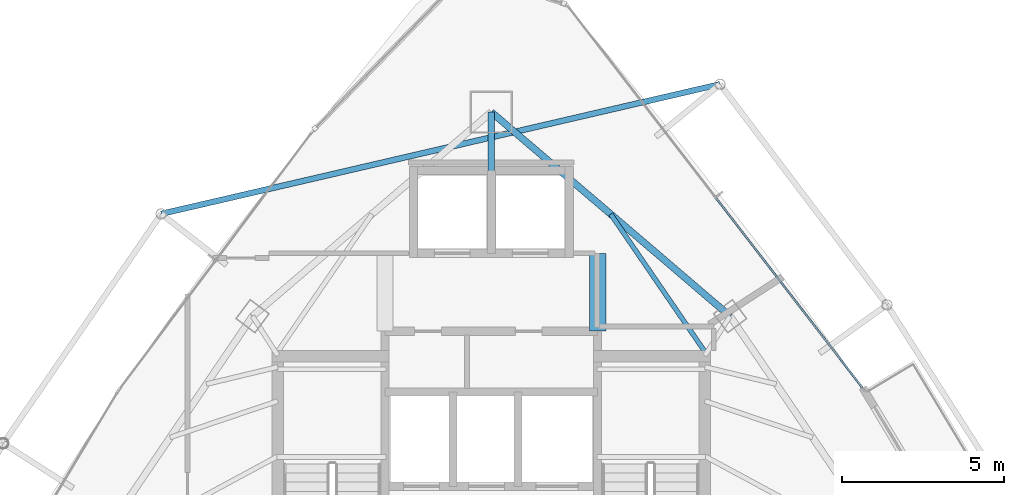
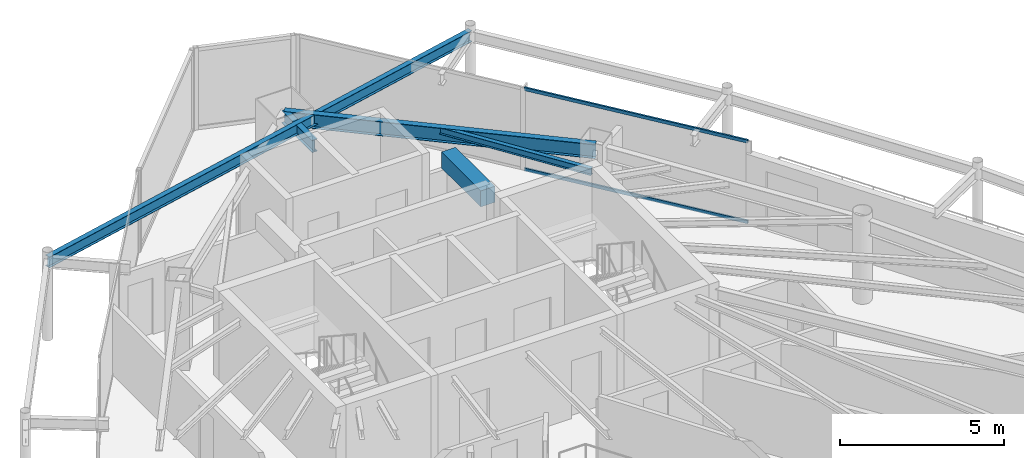
# One storey, part 22 of 30: 5 beams, 2 members, 1 element without a shape of its own.
"""IFC4 building model written with IfcOpenShell, lengths in metres."""

import ifcopenshell
import ifcopenshell.guid

model = None  # the IFC model being written
_history = None  # IfcOwnerHistory: only IFC2X3 demands one
_inside = {}  # id of a spatial element -> (the spatial element, [elements in it])
_under = {}  # id of a project, library or spatial element -> (it, [spatial elements below it])
_declared = {}  # id of a project -> (the project, [libraries it declares])
_typed = {}  # id of a type object -> (the type object, [elements of that type])
_made_of = {}  # id of a material, layer set ... -> (it, [elements and type objects made of it])


def new_model(schema):
    """Start an empty IFC model of exactly this schema.

    Asked for "IFC4X3", IfcOpenShell would pick the latest addendum, in which some entities
    have other attributes; the version numbers below select the first issue.
    IFC2X3 requires an IfcOwnerHistory on every rooted entity: one is made here for all.
    """
    global model, _history
    if schema == "IFC4X3":
        model = ifcopenshell.file(schema_version=(4, 3, 0, 0))
    else:
        model = ifcopenshell.file(schema=schema)
    _inside.clear()
    _under.clear()
    _declared.clear()
    _typed.clear()
    _made_of.clear()
    _history = None
    if model.schema == "IFC2X3":
        org = make("IfcOrganization", Name="unknown")
        user = make(
            "IfcPersonAndOrganization",
            ThePerson=make("IfcPerson", FamilyName="unknown"),
            TheOrganization=org,
        )
        app = make(
            "IfcApplication",
            ApplicationDeveloper=org,
            Version="unknown",
            ApplicationFullName="unknown",
            ApplicationIdentifier="unknown",
        )
        _history = make(
            "IfcOwnerHistory",
            OwningUser=user,
            OwningApplication=app,
            ChangeAction="ADDED",
            CreationDate=0,
        )
    return model


def make(cls, **values):
    """One entity of the class cls with the attributes given. An attribute that is None is left unset."""
    return model.create_entity(
        cls, **{name: value for name, value in values.items() if value is not None}
    )


def rooted(cls, **values):
    """An entity with a GlobalId (a new one), such as an element, a storey or a relation."""
    return make(cls, GlobalId=ifcopenshell.guid.new(), OwnerHistory=_history, **values)


def si_unit(unit_type, name, prefix=None):
    """IfcSIUnit, for example si_unit("LENGTHUNIT", "METRE", prefix="MILLI")."""
    return make("IfcSIUnit", UnitType=unit_type, Prefix=prefix, Name=name)


def assignment(units):
    """IfcUnitAssignment: the units of a project."""
    return None if units is None else make("IfcUnitAssignment", Units=units)


def point(xyz):
    """IfcCartesianPoint."""
    return None if xyz is None else make("IfcCartesianPoint", Coordinates=xyz)


def direction(xyz):
    """IfcDirection."""
    return None if xyz is None else make("IfcDirection", DirectionRatios=xyz)


def frame(location, z_axis=None, x_axis=None):
    """IfcAxis2Placement3D, a coordinate frame: its origin and axes. An axis left out is left unset."""
    return make(
        "IfcAxis2Placement3D",
        Location=point(location),
        Axis=direction(z_axis),
        RefDirection=direction(x_axis),
    )


def frame_2d(location, x_axis=None):
    """IfcAxis2Placement2D, a coordinate frame in the plane: its origin and x axis."""
    return make(
        "IfcAxis2Placement2D", Location=point(location), RefDirection=direction(x_axis)
    )


def origin():
    """The frame at (0, 0, 0) with its axes left unset."""
    return frame((0.0, 0.0, 0.0))


def origin_2d():
    """The frame at (0, 0) in the plane with its x axis left unset."""
    return frame_2d((0.0, 0.0))


def place(relative_to, where):
    """IfcLocalPlacement: puts the frame where relative to a parent placement (None: the world)."""
    return make(
        "IfcLocalPlacement", PlacementRelTo=relative_to, RelativePlacement=where
    )


def context(
    kind, dimensions, precision=None, world=None, true_north=None, identifier=None
):
    """IfcGeometricRepresentationContext, for example the 3D "Model" context."""
    return make(
        "IfcGeometricRepresentationContext",
        ContextIdentifier=identifier,
        ContextType=kind,
        CoordinateSpaceDimension=dimensions,
        Precision=precision,
        WorldCoordinateSystem=world,
        TrueNorth=true_north,
    )


def subcontext(parent, identifier, kind, view, scale=None):
    """IfcGeometricRepresentationSubContext, for example "Body" below "Model"."""
    return make(
        "IfcGeometricRepresentationSubContext",
        ContextIdentifier=identifier,
        ContextType=kind,
        ParentContext=parent,
        TargetScale=scale,
        TargetView=view,
    )


def project(units=None, contexts=None):
    """IfcProject with its units and contexts."""
    return rooted(
        "IfcProject",
        Name="project",
        RepresentationContexts=contexts,
        UnitsInContext=assignment(units),
    )


def spatial(cls, under=None, at=None, **own):
    """A site, building, storey or space (cls), placed at a placement, below another one or the project."""
    s = rooted(cls, ObjectPlacement=at, **own)
    if under is not None:
        _under.setdefault(under.id(), (under, []))[1].append(s)
    return s


def profile(cls, at=None, kind="AREA", **sizes):
    """A parametric profile (cls). Its sizes go by their IFC names, for example OverallWidth=200.0."""
    return make(cls, ProfileType=kind, Position=at, **sizes)


def rectangle(**sizes):
    """IfcRectangleProfileDef."""
    return profile("IfcRectangleProfileDef", **sizes)


def hollow_rectangle(**sizes):
    """IfcRectangleHollowProfileDef."""
    return profile("IfcRectangleHollowProfileDef", **sizes)


def i_section(**sizes):
    """IfcIShapeProfileDef."""
    return profile("IfcIShapeProfileDef", **sizes)


def extrude(swept, where, along, depth):
    """IfcExtrudedAreaSolid: the profile swept, set in the frame where, extruded along a direction by depth."""
    return make(
        "IfcExtrudedAreaSolid",
        SweptArea=swept,
        Position=where,
        ExtrudedDirection=direction(along),
        Depth=depth,
    )


def shape(context_of_items, identifier, shape_type, items):
    """IfcShapeRepresentation: the items that make up one representation, for example the "Body"."""
    return make(
        "IfcShapeRepresentation",
        ContextOfItems=context_of_items,
        RepresentationIdentifier=identifier,
        RepresentationType=shape_type,
        Items=items,
    )


def material(Name=None, Category=None):
    """IfcMaterial."""
    return make("IfcMaterial", Name=Name, Category=Category)


def layer(
    of_material, thickness, ventilated=None, Name=None, Category=None, Priority=None
):
    """IfcMaterialLayer: one layer of a wall or slab, of a material (None: an air gap)."""
    return make(
        "IfcMaterialLayer",
        Material=of_material,
        LayerThickness=thickness,
        IsVentilated=ventilated,
        Name=Name,
        Category=Category,
        Priority=Priority,
    )


def layer_set(layers, Name=None):
    """IfcMaterialLayerSet."""
    return make("IfcMaterialLayerSet", MaterialLayers=layers, LayerSetName=Name)


def material_profile(
    of_material, cross_section, Name=None, Category=None, Priority=None
):
    """IfcMaterialProfile: a cross section and its material."""
    return make(
        "IfcMaterialProfile",
        Name=Name,
        Material=of_material,
        Profile=cross_section,
        Priority=Priority,
        Category=Category,
    )


def profile_set(profiles, Name=None, composite=None):
    """IfcMaterialProfileSet."""
    return make(
        "IfcMaterialProfileSet",
        Name=Name,
        MaterialProfiles=profiles,
        CompositeProfile=composite,
    )


def made_of(thing, what):
    """Note that an element or type object is made of a material, layer set ...; save() writes the relation."""
    if what is not None:
        _made_of.setdefault(what.id(), (what, []))[1].append(thing)
    return thing


def type_object(cls, material=None, **own):
    """A type object (cls), such as IfcWallType, which elements share."""
    return made_of(rooted(cls, **own), material)


def element(
    cls,
    number,
    at=None,
    inside=None,
    cuts=None,
    type_object=None,
    material=None,
    context=None,
    identifier="Body",
    shape_type=None,
    held_by="IfcProductDefinitionShape",
    body=None,
    shapes=None,
    **own,
):
    """One element of the class cls, such as IfcWall. Its Tag is "e" and its number.

    at: its placement. inside: the storey or other place that contains it. cuts: it is an
    opening in that element (IfcRelVoidsElement). A single representation is given by context,
    identifier, shape_type and body (its items); several are given by shapes. held_by: the class
    of the entity that holds the representations. save() writes the other relations.
    """
    e = rooted(cls, Tag="e%d" % number, ObjectPlacement=at, **own)
    if body is not None:
        shapes = [shape(context, identifier, shape_type, body)]
    if shapes is not None:
        e.Representation = make(held_by, Representations=shapes)
    if inside is not None:
        _inside.setdefault(inside.id(), (inside, []))[1].append(e)
    if cuts is not None:
        rooted(
            "IfcRelVoidsElement", RelatingBuildingElement=cuts, RelatedOpeningElement=e
        )
    if type_object is not None:
        _typed.setdefault(type_object.id(), (type_object, []))[1].append(e)
    return made_of(e, material)


def aggregate(whole, parts):
    """IfcRelAggregates: a whole, such as a stair, and the parts it consists of."""
    return rooted("IfcRelAggregates", RelatingObject=whole, RelatedObjects=parts)


def save(model, path):
    """Write the relations noted so far, then the file.

    IfcRelAggregates (storeys below a building ...), IfcRelContainedInSpatialStructure (elements
    in a storey), IfcRelDefinesByType, IfcRelAssociatesMaterial and IfcRelDeclares: one each for
    every whole, place, type object, material and project.
    """
    for whole, parts in _under.values():
        aggregate(whole, parts)
    for where, things in _inside.values():
        rooted(
            "IfcRelContainedInSpatialStructure",
            RelatedElements=things,
            RelatingStructure=where,
        )
    for kind, things in _typed.values():
        rooted("IfcRelDefinesByType", RelatedObjects=things, RelatingType=kind)
    for what, things in _made_of.values():
        rooted("IfcRelAssociatesMaterial", RelatedObjects=things, RelatingMaterial=what)
    for by, libraries in _declared.values():
        rooted("IfcRelDeclares", RelatingContext=by, RelatedDefinitions=libraries)
    model.write(path)


model = new_model("IFC4")

# Units and contexts
model_context = context("Model", 3, precision=1e-05, world=origin(), true_north=direction((0.0, 1.0)))
body_context = subcontext(model_context, "Body", "Model", "MODEL_VIEW")
ifc_project = project(units=[si_unit("LENGTHUNIT", "METRE"), si_unit("AREAUNIT", "SQUARE_METRE"), si_unit("VOLUMEUNIT", "CUBIC_METRE"), si_unit("PLANEANGLEUNIT", "RADIAN"), si_unit("MASSUNIT", "GRAM", prefix="KILO")], contexts=[model_context])

# Site, building, storey
site_placement = place(None, origin())
site = spatial("IfcSite", under=ifc_project, at=site_placement, CompositionType="ELEMENT")
building_placement = place(site_placement, origin())
building = spatial("IfcBuilding", under=site, at=building_placement, Name="Orvanel Arch Residences", CompositionType="ELEMENT")
storey_placement = place(building_placement, frame((0.0, 0.0, 229.39990234375)))
storey = spatial("IfcBuildingStorey", under=building, at=storey_placement, Name="L65", CompositionType="ELEMENT", Elevation=229.39990234375)

# Beams
ifc_material_1 = material(Name="Structural steel AS/NZS 3679.1 Grade 300 (300 MPa)", Category="steel")
ifc_material_profile_1 = material_profile(ifc_material_1, i_section(OverallWidth=0.19091796875, OverallDepth=0.4599609375, WebThickness=0.010009765625, FlangeThickness=0.01611328125, at=origin_2d()), Name="460UB82.1")
ifc_profile_set_1 = profile_set([ifc_material_profile_1], Name="Structural steel AS/NZS 3679.1 Grade 300 (300 MPa)")
beam_type_1 = type_object("IfcBeamType", Name="BG-460UB", PredefinedType="BEAM", material=ifc_profile_set_1)
beam_1_placement = place(storey_placement, frame((33.0, 39.550048828125, 2.830078125), z_axis=(0.0, 1.0, 0.0), x_axis=(-1.0, 0.0, 0.0)))
element("IfcBeam", 1, at=beam_1_placement, inside=storey, type_object=beam_type_1, Name="L65 North Radial Girder", PredefinedType="BEAM", context=body_context, shape_type="SweptSolid", body=[
    extrude(i_section(OverallWidth=0.19091796875, OverallDepth=0.4599609375, WebThickness=0.010009765625, FlangeThickness=0.01611328125, at=origin_2d()), origin(), (0.0, 0.0, 1.0), 1.847900390625),
])
ifc_material_profile_2 = material_profile(ifc_material_1, i_section(OverallWidth=0.14599609375, OverallDepth=0.251953125, WebThickness=0.006103515625, FlangeThickness=0.008544921875, at=origin_2d()), Name="250UB31.4")
ifc_profile_set_2 = profile_set([ifc_material_profile_2], Name="Structural steel AS/NZS 3679.1 Grade 300 (300 MPa)")
beam_type_2 = type_object("IfcBeamType", Name="BJ-250UB", PredefinedType="JOIST", material=ifc_profile_set_2)
beam_2_placement = place(storey_placement, frame((39.574951171875, 34.02001953125, 2.93408203125), z_axis=(-0.564868085352, 0.825181220188, 0.0), x_axis=(-0.825181220188, -0.564868085352, 0.0)))
element("IfcBeam", 2, at=beam_2_placement, inside=storey, type_object=beam_type_2, Name="L65 NNE2 Wing Floor Joist", PredefinedType="JOIST", context=body_context, shape_type="SweptSolid", body=[
    extrude(i_section(OverallWidth=0.14599609375, OverallDepth=0.251953125, WebThickness=0.006103515625, FlangeThickness=0.008544921875, at=origin_2d()), origin(), (0.0, 0.0, 1.0), 5.132080078125),
])
ifc_material_2 = material(Name="Concrete S65 (65 MPa)", Category="concrete")
ifc_material_profile_3 = material_profile(ifc_material_2, rectangle(XDim=0.5, YDim=0.60009765625, at=origin_2d()), Name="RC500x600")
ifc_profile_set_3 = profile_set([ifc_material_profile_3], Name="Concrete S65 (65 MPa)")
beam_type_3 = type_object("IfcBeamType", Name="CB-500x600", PredefinedType="LINTEL", material=ifc_profile_set_3)
beam_3_placement = place(storey_placement, frame((36.27490234375, 34.64990234375, 2.760009765625), z_axis=(0.0, 1.0, 0.0), x_axis=(-1.0, 0.0, 0.0)))
element("IfcBeam", 3, at=beam_3_placement, inside=storey, type_object=beam_type_3, Name="L65 East Core Lobby Coupling Lintel Beam", PredefinedType="LINTEL", context=body_context, shape_type="SweptSolid", body=[
    extrude(rectangle(XDim=0.5, YDim=0.60009765625, at=origin_2d()), origin(), (0.0, 0.0, 1.0), 2.400146484375),
])
ifc_material_profile_4 = material_profile(ifc_material_1, i_section(OverallWidth=0.177978515625, OverallDepth=0.406005859375, WebThickness=0.0078125, FlangeThickness=0.0126953125, at=origin_2d()), Name="410UB59.7")
ifc_profile_set_4 = profile_set([ifc_material_profile_4], Name="Structural steel AS/NZS 3679.1 Grade 300 (300 MPa)")
beam_type_4 = type_object("IfcBeamType", Name="OB-410UB-EXT", PredefinedType="SPANDREL", material=ifc_profile_set_4)
beam_4_placement = place(storey_placement, frame((40.0419921875, 42.25390625, 2.857177734375), z_axis=(-0.974138287107, -0.225952644579, 0.0), x_axis=(0.225952644579, -0.974138287107, 0.0)))
element("IfcBeam", 4, at=beam_4_placement, inside=storey, type_object=beam_type_4, Name="L65 Outer Perimeter Floor Ring Beam 12", PredefinedType="SPANDREL", context=body_context, shape_type="SweptSolid", body=[
    extrude(i_section(OverallWidth=0.177978515625, OverallDepth=0.406005859375, WebThickness=0.0078125, FlangeThickness=0.0126953125, at=origin_2d()), origin(), (0.0, 0.0, 1.0), 17.662841796875),
])
ifc_material_profile_5 = material_profile(ifc_material_1, i_section(OverallWidth=0.208984375, OverallDepth=0.532958984375, WebThickness=0.01025390625, FlangeThickness=0.015625, at=origin_2d()), Name="530UB92.4")
ifc_profile_set_5 = profile_set([ifc_material_profile_5], Name="Structural steel AS/NZS 3679.1 Grade 300 (300 MPa)")
beam_type_5 = type_object("IfcBeamType", Name="SP-530UB", PredefinedType="SPANDREL", material=ifc_profile_set_5)
beam_5_placement = place(storey_placement, frame((40.35205078125, 35.113037109375, 2.794189453125), z_axis=(-0.760116518398, 0.649786794617, 0.0), x_axis=(-0.649786794617, -0.760116518398, 0.0)))
element("IfcBeam", 5, at=beam_5_placement, inside=storey, type_object=beam_type_5, Name="L65 Perimeter Spandrel Beam 09", PredefinedType="SPANDREL", context=body_context, shape_type="SweptSolid", body=[
    extrude(i_section(OverallWidth=0.208984375, OverallDepth=0.532958984375, WebThickness=0.01025390625, FlangeThickness=0.015625, at=origin_2d()), origin(), (0.0, 0.0, 1.0), 9.67236328125),
])

# Curtain wall, members
ifc_material_3 = material(Name="Bronze-anodised aluminium AA6063-T6", Category="aluminium")
ifc_layer = layer(ifc_material_3, 0.175048828125)
ifc_layer_set = layer_set([ifc_layer], Name="Bronze-anodised aluminium AA6063-T6")
curtain_wall_type = type_object("IfcCurtainWallType", Name="CW4-HI-SYS", PredefinedType="NOTDEFINED", material=ifc_layer_set)
curtain_wall_placement = place(storey_placement, origin())
curtain_wall = element("IfcCurtainWall", 6, at=curtain_wall_placement, inside=storey, type_object=curtain_wall_type, Name="L65 CW4-HI-SYS Unitised Curtain Wall", PredefinedType="NOTDEFINED")
ifc_material_profile_6 = material_profile(ifc_material_3, hollow_rectangle(XDim=0.06005859375, YDim=0.1201171875, WallThickness=0.00341796875, at=origin_2d()), Name="ALU120x60x3.5")
ifc_profile_set_6 = profile_set([ifc_material_profile_6], Name="Bronze-anodised aluminium AA6063-T6")
member_type = type_object("IfcMemberType", Name="TRN-120x60", PredefinedType="USERDEFINED", material=ifc_profile_set_6)
member_1_placement = place(storey_placement, frame((44.434326171875, 32.8974609375, 0.030029296875), z_axis=(-0.610718196631, 0.791848018438, 0.0), x_axis=(-0.791848018438, -0.610718196631, 0.0)))
member_1 = element("IfcMember", 7, at=member_1_placement, type_object=member_type, Name="CW-S4 transom 1.1", ObjectType="TRANSOM", PredefinedType="USERDEFINED", context=body_context, shape_type="SweptSolid", body=[
    extrude(hollow_rectangle(XDim=0.06005859375, YDim=0.1201171875, WallThickness=0.00341796875, at=origin_2d()), origin(), (0.0, 0.0, 1.0), 7.386474609375),
])
member_2_placement = place(storey_placement, frame((44.434326171875, 32.8974609375, 3.030029296875), z_axis=(-0.610718196631, 0.791848018438, 0.0), x_axis=(-0.791848018438, -0.610718196631, 0.0)))
member_2 = element("IfcMember", 8, at=member_2_placement, type_object=member_type, Name="CW-S4 transom 1.2", ObjectType="TRANSOM", PredefinedType="USERDEFINED", context=body_context, shape_type="SweptSolid", body=[
    extrude(hollow_rectangle(XDim=0.06005859375, YDim=0.1201171875, WallThickness=0.00341796875, at=origin_2d()), origin(), (0.0, 0.0, 1.0), 7.386474609375),
])
aggregate(curtain_wall, [member_1, member_2])

save(model, "model.ifc")
